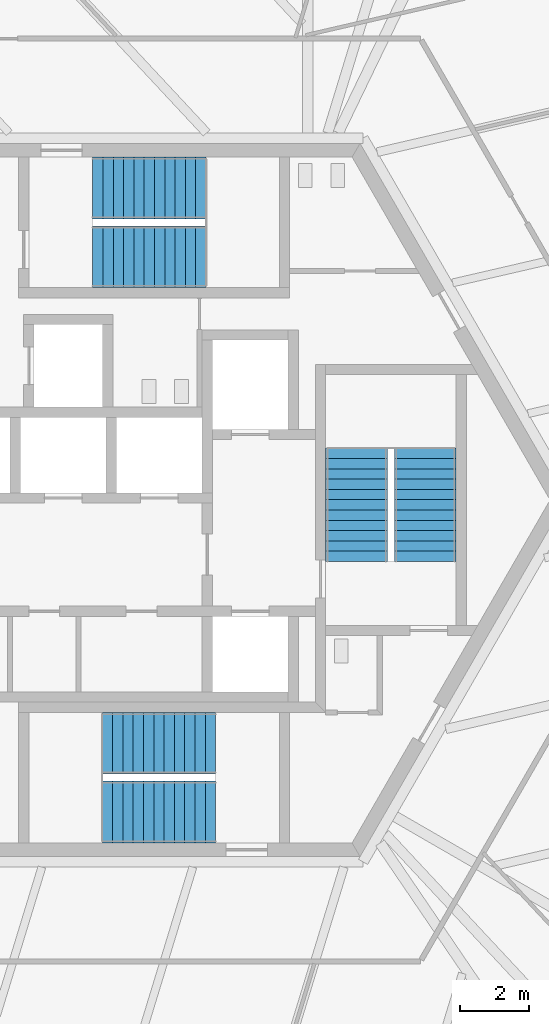
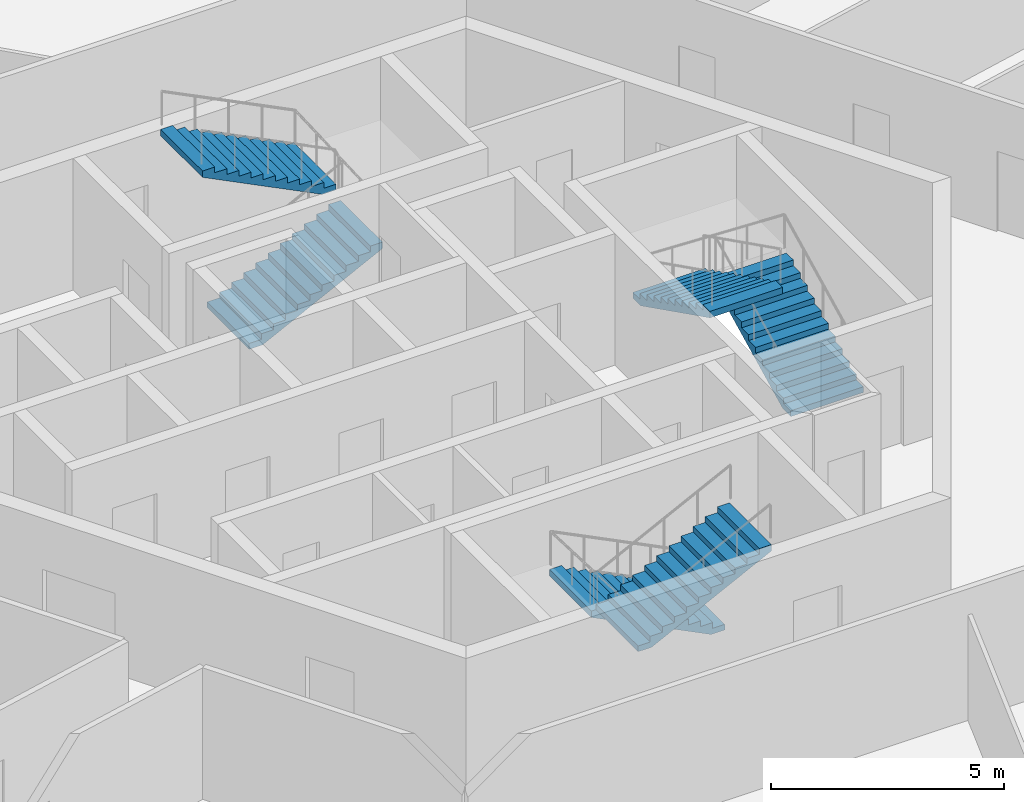
# One storey, part 17 of 24: 6 stair flights, 3 elements without a shape of their own.
"""IFC4 building model written with IfcOpenShell, lengths in metres."""

from ifc_helpers import new_model, si_unit, direction, frame, origin, place, context, subcontext, project, spatial, polyline, outline, extrude, source, transform, mapped, material, type_object, element, aggregate, save


model = new_model("IFC4")

# Units and contexts
model_context = context("Model", 3, precision=1e-05, world=origin(), true_north=direction((0.0, 1.0)))
body_context = subcontext(model_context, "Body", "Model", "MODEL_VIEW")
ifc_project = project(units=[si_unit("LENGTHUNIT", "METRE"), si_unit("AREAUNIT", "SQUARE_METRE"), si_unit("VOLUMEUNIT", "CUBIC_METRE"), si_unit("PLANEANGLEUNIT", "RADIAN"), si_unit("MASSUNIT", "GRAM", prefix="KILO")], contexts=[model_context])

# Site, building, storey
site_placement = place(None, origin())
site = spatial("IfcSite", under=ifc_project, at=site_placement, CompositionType="ELEMENT")
building_placement = place(site_placement, origin())
building = spatial("IfcBuilding", under=site, at=building_placement, Name="Triune Harvest Tower", CompositionType="ELEMENT")
storey_placement = place(building_placement, frame((0.0, 0.0, 127.10009765625)))
storey = spatial("IfcBuildingStorey", under=building, at=storey_placement, Name="L32", CompositionType="ELEMENT", Elevation=127.10009765625)

# Stair, stair flights
ifc_material_1 = material(Name="Concrete 40 MPa", Category="concrete")
stair_type = type_object("IfcStairType", Name="Exit stair 1800 half turn", PredefinedType="HALF_TURN_STAIR", material=ifc_material_1)
stair_1_placement = place(storey_placement, origin())
stair_1 = element("IfcStair", 1, at=stair_1_placement, inside=storey, type_object=stair_type, Name="Exit stair north", PredefinedType="HALF_TURN_STAIR")
ifc_material_2 = material(Name="Concrete 40 MPa", Category="concrete")
stair_flight_type = type_object("IfcStairFlightType", Name="Stair flight 1800", PredefinedType="STRAIGHT", material=ifc_material_2)
shared_shape = source(origin(), body_context, "Body", "SweptSolid", [
    extrude(outline(polyline([(0.0, 0.0), (0.0, 0.14990234375), (0.300048828125, 0.14990234375), (0.300048828125, 0.300048828125), (0.60009765625, 0.300048828125), (0.60009765625, 0.449951171875), (0.89990234375, 0.449951171875), (0.89990234375, 0.60009765625), (1.199951171875, 0.60009765625), (1.199951171875, 0.75), (1.5, 0.75), (1.5, 0.89990234375), (1.800048828125, 0.89990234375), (1.800048828125, 1.050048828125), (2.10009765625, 1.050048828125), (2.10009765625, 1.199951171875), (2.39990234375, 1.199951171875), (2.39990234375, 1.35009765625), (2.699951171875, 1.35009765625), (2.699951171875, 1.5), (3.0, 1.5), (3.0, 1.64990234375), (3.300048828125, 1.64990234375), (3.300048828125, 1.800048828125), (3.300048828125, 1.482421875), (0.335205078125, 0.0), (0.0, 0.0)])), frame((0.0, 0.89990234375, 0.0), z_axis=(0.0, -1.0, 0.0), x_axis=(1.0, 0.0, 0.0)), (0.0, 0.0, 1.0), 1.800048828125),
])
stair_flight_1_placement = place(storey_placement, frame((-1.7900390625, 7.090087890625, 0.0), z_axis=(0.0, 0.0, 1.0), x_axis=(1.0, 0.0, 0.0)))
stair_flight_1 = element("IfcStairFlight", 2, at=stair_flight_1_placement, type_object=stair_flight_type, Name="ST-1 flight 1", NumberOfRisers=12, NumberOfTreads=11, PredefinedType="STRAIGHT", RiserHeight=0.15, TreadLength=0.3, context=body_context, shape_type="MappedRepresentation", body=[
    mapped(shared_shape, transform((0.0, 0.0, 0.0), scale=1.0)),
])
stair_flight_2_placement = place(storey_placement, frame((1.510009765625, 9.090087890625, 1.7998046875), z_axis=(0.0, 0.0, 1.0), x_axis=(-1.0, 0.0, 0.0)))
stair_flight_2 = element("IfcStairFlight", 3, at=stair_flight_2_placement, type_object=stair_flight_type, Name="ST-1 flight 2", NumberOfRisers=12, NumberOfTreads=11, PredefinedType="STRAIGHT", RiserHeight=0.15, TreadLength=0.3, context=body_context, shape_type="MappedRepresentation", body=[
    mapped(shared_shape, transform((0.0, 0.0, 0.0), scale=1.0)),
])
aggregate(stair_1, [stair_flight_1, stair_flight_2])

stair_2_placement = place(storey_placement, origin())
stair_2 = element("IfcStair", 4, at=stair_2_placement, inside=storey, type_object=stair_type, Name="Exit stair south", PredefinedType="HALF_TURN_STAIR")
stair_flight_3_placement = place(storey_placement, frame((1.7900390625, -7.090087890625, 0.0), z_axis=(0.0, 0.0, 1.0), x_axis=(-1.0, 0.0, 0.0)))
stair_flight_3 = element("IfcStairFlight", 5, at=stair_flight_3_placement, type_object=stair_flight_type, Name="ST-2 flight 1", NumberOfRisers=12, NumberOfTreads=11, PredefinedType="STRAIGHT", RiserHeight=0.15, TreadLength=0.3, context=body_context, shape_type="MappedRepresentation", body=[
    mapped(shared_shape, transform((0.0, 0.0, 0.0), scale=1.0)),
])
stair_flight_4_placement = place(storey_placement, frame((-1.510009765625, -9.090087890625, 1.7998046875), z_axis=(0.0, 0.0, 1.0), x_axis=(1.0, 0.0, 0.0)))
stair_flight_4 = element("IfcStairFlight", 6, at=stair_flight_4_placement, type_object=stair_flight_type, Name="ST-2 flight 2", NumberOfRisers=12, NumberOfTreads=11, PredefinedType="STRAIGHT", RiserHeight=0.15, TreadLength=0.3, context=body_context, shape_type="MappedRepresentation", body=[
    mapped(shared_shape, transform((0.0, 0.0, 0.0), scale=1.0)),
])
aggregate(stair_2, [stair_flight_3, stair_flight_4])

stair_3_placement = place(storey_placement, origin())
stair_3 = element("IfcStair", 7, at=stair_3_placement, inside=storey, type_object=stair_type, Name="Exit stair east", PredefinedType="HALF_TURN_STAIR")
stair_flight_5_placement = place(storey_placement, frame((7.89990234375, -1.7900390625, 0.0), z_axis=(0.0, 0.0, 1.0), x_axis=(0.0, 1.0, 0.0)))
stair_flight_5 = element("IfcStairFlight", 8, at=stair_flight_5_placement, type_object=stair_flight_type, Name="ST-3 flight 1", NumberOfRisers=12, NumberOfTreads=11, PredefinedType="STRAIGHT", RiserHeight=0.15, TreadLength=0.3, context=body_context, shape_type="MappedRepresentation", body=[
    mapped(shared_shape, transform((0.0, 0.0, 0.0), scale=1.0)),
])
stair_flight_6_placement = place(storey_placement, frame((5.89990234375, 1.510009765625, 1.7998046875), z_axis=(0.0, 0.0, 1.0), x_axis=(0.0, -1.0, 0.0)))
stair_flight_6 = element("IfcStairFlight", 9, at=stair_flight_6_placement, type_object=stair_flight_type, Name="ST-3 flight 2", NumberOfRisers=12, NumberOfTreads=11, PredefinedType="STRAIGHT", RiserHeight=0.15, TreadLength=0.3, context=body_context, shape_type="MappedRepresentation", body=[
    mapped(shared_shape, transform((0.0, 0.0, 0.0), scale=1.0)),
])
aggregate(stair_3, [stair_flight_5, stair_flight_6])

save(model, "model.ifc")
